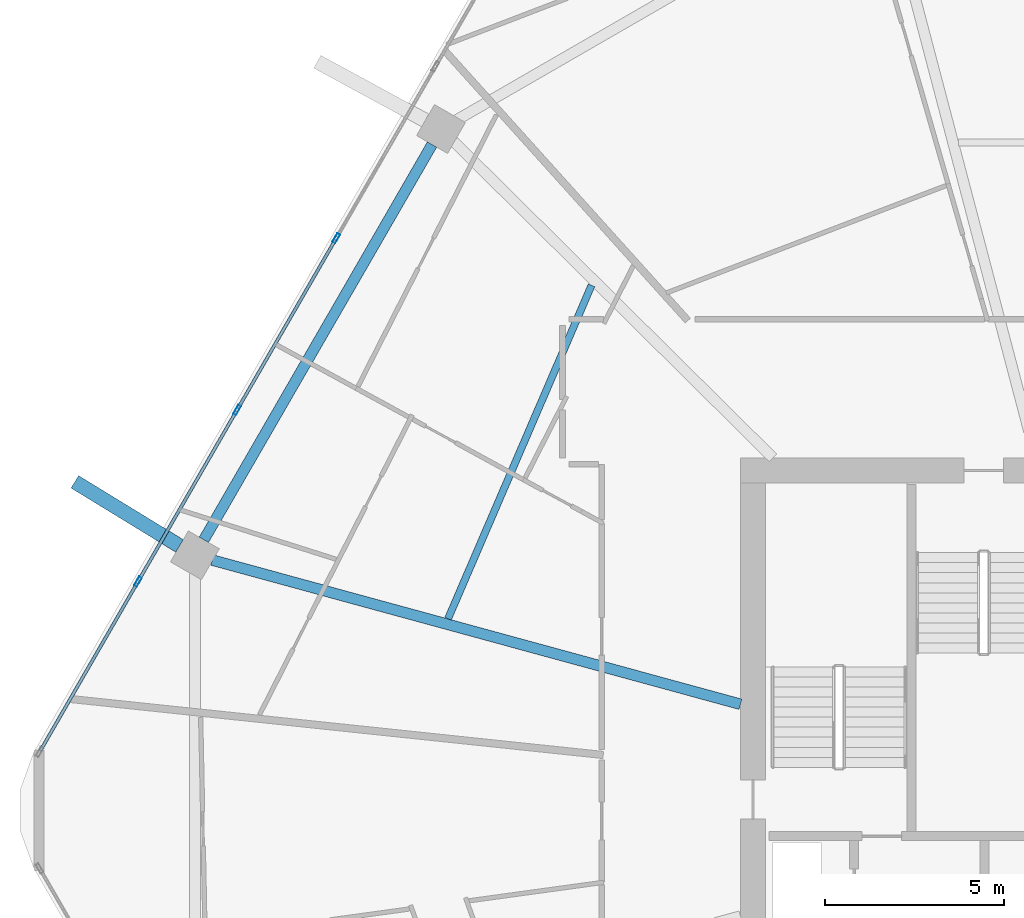
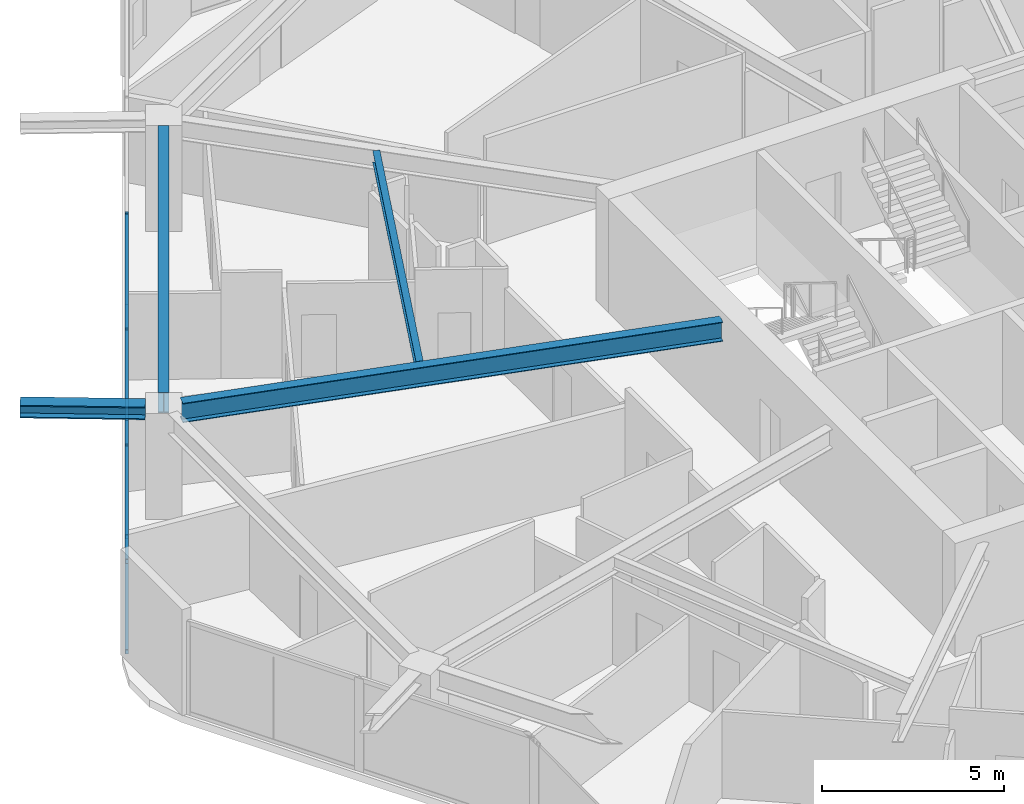
# One storey, part 10 of 25: 9 members, 4 beams, 1 element without a shape of its own.
"""IFC4 building model written with IfcOpenShell, lengths in metres."""

from ifc_helpers import new_model, si_unit, direction, frame, origin, origin_2d, place, context, subcontext, project, spatial, hollow_rectangle, i_section, extrude, material, material_profile, profile_set, type_object, element, aggregate, save


model = new_model("IFC4")

# Units and contexts
model_context = context("Model", 3, precision=1e-05, world=origin(), true_north=direction((0.0, 1.0)))
body_context = subcontext(model_context, "Body", "Model", "MODEL_VIEW")
ifc_project = project(units=[si_unit("LENGTHUNIT", "METRE"), si_unit("AREAUNIT", "SQUARE_METRE"), si_unit("VOLUMEUNIT", "CUBIC_METRE"), si_unit("PLANEANGLEUNIT", "RADIAN"), si_unit("MASSUNIT", "GRAM", prefix="KILO")], contexts=[model_context])

# Site, building, storey
site_placement = place(None, origin())
site = spatial("IfcSite", under=ifc_project, at=site_placement, CompositionType="ELEMENT")
building_placement = place(site_placement, origin())
building = spatial("IfcBuilding", under=site, at=building_placement, Name="Zuhravey Tower", CompositionType="ELEMENT")
storey_placement = place(building_placement, frame((0.0, 0.0, 150.39990234375)))
storey = spatial("IfcBuildingStorey", under=building, at=storey_placement, Name="L37", CompositionType="ELEMENT", Elevation=150.39990234375)

# Curtain wall, members
ifc_material_1 = material(Name="Thermally broken anodised aluminium", Category="aluminium")
curtain_wall_type = type_object("IfcCurtainWallType", Name="Zone 1-2 Residential Curtain Wall CW3", PredefinedType="NOTDEFINED", material=ifc_material_1)
curtain_wall_placement = place(storey_placement, origin())
curtain_wall = element("IfcCurtainWall", 1, at=curtain_wall_placement, inside=storey, type_object=curtain_wall_type, Name="L37 CW3 CW-L37-F3-1", PredefinedType="NOTDEFINED")
ifc_material_2 = material(Name="Anodised aluminium", Category="aluminium")
ifc_material_profile_1 = material_profile(ifc_material_2, hollow_rectangle(XDim=0.090087890625, YDim=0.284912109375, WallThickness=0.0048828125, at=origin_2d()), Name="ALU-RHS-90x285x5")
ifc_profile_set_1 = profile_set([ifc_material_profile_1], Name="Anodised aluminium")
member_type_1 = type_object("IfcMemberType", Name="Curtain-Wall Mullion 90x180", PredefinedType="MULLION", material=ifc_profile_set_1)
member_1_placement = place(storey_placement, frame((8.300537109375, 38.38916015625, 0.0), z_axis=(0.0, 0.0, 1.0), x_axis=(-0.866025138215, 0.500000459979, 0.0)))
member_1 = element("IfcMember", 2, at=member_1_placement, type_object=member_type_1, Name="CW3 mullion 2", PredefinedType="MULLION", context=body_context, shape_type="SweptSolid", body=[
    extrude(hollow_rectangle(XDim=0.090087890625, YDim=0.284912109375, WallThickness=0.0048828125, at=origin_2d()), origin(), (0.0, 0.0, 1.0), 3.1220703125),
])
member_2_placement = place(storey_placement, frame((11.07275390625, 43.190673828125, 0.0), z_axis=(0.0, 0.0, 1.0), x_axis=(-0.866025138215, 0.500000459979, 0.0)))
member_2 = element("IfcMember", 3, at=member_2_placement, type_object=member_type_1, Name="CW3 mullion 3", PredefinedType="MULLION", context=body_context, shape_type="SweptSolid", body=[
    extrude(hollow_rectangle(XDim=0.090087890625, YDim=0.284912109375, WallThickness=0.0048828125, at=origin_2d()), origin(), (0.0, 0.0, 1.0), 3.1220703125),
])
member_3_placement = place(storey_placement, frame((13.844970703125, 47.992431640625, 0.0), z_axis=(0.0, 0.0, 1.0), x_axis=(-0.866025138215, 0.500000459979, 0.0)))
member_3 = element("IfcMember", 4, at=member_3_placement, type_object=member_type_1, Name="CW3 mullion 4", PredefinedType="MULLION", context=body_context, shape_type="SweptSolid", body=[
    extrude(hollow_rectangle(XDim=0.090087890625, YDim=0.284912109375, WallThickness=0.0048828125, at=origin_2d()), origin(), (0.0, 0.0, 1.0), 3.1220703125),
])
ifc_material_profile_2 = material_profile(ifc_material_2, hollow_rectangle(XDim=0.090087890625, YDim=0.14990234375, WallThickness=0.0048828125, at=origin_2d()), Name="ALU-RHS-90x150x5")
ifc_profile_set_2 = profile_set([ifc_material_profile_2], Name="Anodised aluminium")
member_type_2 = type_object("IfcMemberType", Name="Curtain-Wall Transom 90x150", PredefinedType="USERDEFINED", material=ifc_profile_set_2)
member_4_placement = place(storey_placement, frame((5.5732421875, 33.66552734375, 0.045166015625), z_axis=(0.499993332629, 0.866029253159, 0.0), x_axis=(-0.866029253159, 0.499993332629, 0.0)))
member_4 = element("IfcMember", 5, at=member_4_placement, type_object=member_type_2, Name="CW3 transom 1.1", ObjectType="TRANSOM", PredefinedType="USERDEFINED", context=body_context, shape_type="SweptSolid", body=[
    extrude(hollow_rectangle(XDim=0.090087890625, YDim=0.14990234375, WallThickness=0.0048828125, at=origin_2d()), origin(), (0.0, 0.0, 1.0), 5.4091796875),
])
member_5_placement = place(storey_placement, frame((5.5732421875, 33.66552734375, 3.0771484375), z_axis=(0.499993332629, 0.866029253159, 0.0), x_axis=(-0.866029253159, 0.499993332629, 0.0)))
member_5 = element("IfcMember", 6, at=member_5_placement, type_object=member_type_2, Name="CW3 transom 1.2", ObjectType="TRANSOM", PredefinedType="USERDEFINED", context=body_context, shape_type="SweptSolid", body=[
    extrude(hollow_rectangle(XDim=0.090087890625, YDim=0.14990234375, WallThickness=0.0048828125, at=origin_2d()), origin(), (0.0, 0.0, 1.0), 5.4091796875),
])
member_6_placement = place(storey_placement, frame((8.322998046875, 38.427978515625, 0.045166015625), z_axis=(0.49996138257, 0.86604769842, 0.0), x_axis=(-0.86604769842, 0.49996138257, 0.0)))
member_6 = element("IfcMember", 7, at=member_6_placement, type_object=member_type_2, Name="CW3 transom 2.1", ObjectType="TRANSOM", PredefinedType="USERDEFINED", context=body_context, shape_type="SweptSolid", body=[
    extrude(hollow_rectangle(XDim=0.090087890625, YDim=0.14990234375, WallThickness=0.0048828125, at=origin_2d()), origin(), (0.0, 0.0, 1.0), 5.45458984375),
])
member_7_placement = place(storey_placement, frame((8.322998046875, 38.427978515625, 3.0771484375), z_axis=(0.49996138257, 0.86604769842, 0.0), x_axis=(-0.86604769842, 0.49996138257, 0.0)))
member_7 = element("IfcMember", 8, at=member_7_placement, type_object=member_type_2, Name="CW3 transom 2.2", ObjectType="TRANSOM", PredefinedType="USERDEFINED", context=body_context, shape_type="SweptSolid", body=[
    extrude(hollow_rectangle(XDim=0.090087890625, YDim=0.14990234375, WallThickness=0.0048828125, at=origin_2d()), origin(), (0.0, 0.0, 1.0), 5.45458984375),
])
member_8_placement = place(storey_placement, frame((11.09521484375, 43.229736328125, 0.045166015625), z_axis=(0.499980763544, 0.866036509673, 0.0), x_axis=(-0.866036509673, 0.499980763544, 0.0)))
member_8 = element("IfcMember", 9, at=member_8_placement, type_object=member_type_2, Name="CW3 transom 3.1", ObjectType="TRANSOM", PredefinedType="USERDEFINED", context=body_context, shape_type="SweptSolid", body=[
    extrude(hollow_rectangle(XDim=0.090087890625, YDim=0.14990234375, WallThickness=0.0048828125, at=origin_2d()), origin(), (0.0, 0.0, 1.0), 5.454345703125),
])
member_9_placement = place(storey_placement, frame((11.09521484375, 43.229736328125, 3.0771484375), z_axis=(0.499980763544, 0.866036509673, 0.0), x_axis=(-0.866036509673, 0.499980763544, 0.0)))
member_9 = element("IfcMember", 10, at=member_9_placement, type_object=member_type_2, Name="CW3 transom 3.2", ObjectType="TRANSOM", PredefinedType="USERDEFINED", context=body_context, shape_type="SweptSolid", body=[
    extrude(hollow_rectangle(XDim=0.090087890625, YDim=0.14990234375, WallThickness=0.0048828125, at=origin_2d()), origin(), (0.0, 0.0, 1.0), 5.454345703125),
])
aggregate(curtain_wall, [member_1, member_2, member_3, member_4, member_5, member_6, member_7, member_8, member_9])

# Beams
ifc_material_3 = material(Name="Steel SM460", Category="steel")
ifc_material_profile_3 = material_profile(ifc_material_3, i_section(OverallWidth=0.406982421875, OverallDepth=0.427978515625, WebThickness=0.02001953125, FlangeThickness=0.034912109375, at=origin_2d()), Name="H-428x407x20x35")
ifc_profile_set_3 = profile_set([ifc_material_profile_3], Name="Steel SM460")
beam_type_1 = type_object("IfcBeamType", Name="Exoskeleton Node Tie Beam H428x407", PredefinedType="BEAM", material=ifc_profile_set_3)
beam_1_placement = place(storey_placement, frame((9.46240234375, 39.3896484375, 3.336181640625), z_axis=(-0.852959892728, 0.521976456746, 0.0), x_axis=(-0.521976456746, -0.852959892728, 0.0)))
element("IfcBeam", 11, at=beam_1_placement, inside=storey, type_object=beam_type_1, Name="L37 Exoskeleton Node Tie NT1-06", PredefinedType="BEAM", context=body_context, shape_type="SweptSolid", body=[
    extrude(i_section(OverallWidth=0.406982421875, OverallDepth=0.427978515625, WebThickness=0.02001953125, FlangeThickness=0.034912109375, at=origin_2d()), origin(), (0.0, 0.0, 1.0), 3.43212890625),
])
ifc_material_4 = material(Name="Steel SM355", Category="steel")
ifc_material_profile_4 = material_profile(ifc_material_4, i_section(OverallWidth=0.300048828125, OverallDepth=0.679931640625, WebThickness=0.012939453125, FlangeThickness=0.02197265625, at=origin_2d()), Name="H-680x300x13x22")
ifc_profile_set_4 = profile_set([ifc_material_profile_4], Name="Steel SM355")
beam_type_2 = type_object("IfcBeamType", Name="Perimeter Ring Beam H680x300", PredefinedType="BEAM", material=ifc_profile_set_4)
beam_2_placement = place(storey_placement, frame((16.52294921875, 50.611083984375, 3.210205078125), z_axis=(-0.499997974489, -0.866026573211, 0.0), x_axis=(0.866026573211, -0.499997974489, 0.0)))
element("IfcBeam", 12, at=beam_2_placement, inside=storey, type_object=beam_type_2, Name="L37 PB2 BM-L37-PB-05", PredefinedType="BEAM", context=body_context, shape_type="SweptSolid", body=[
    extrude(i_section(OverallWidth=0.300048828125, OverallDepth=0.679931640625, WebThickness=0.012939453125, FlangeThickness=0.02197265625, at=origin_2d()), origin(), (0.0, 0.0, 1.0), 12.75830078125),
])
ifc_material_profile_5 = material_profile(ifc_material_4, i_section(OverallWidth=0.300048828125, OverallDepth=0.64990234375, WebThickness=0.012939453125, FlangeThickness=0.02197265625, at=origin_2d()), Name="H-650x300x13x22")
ifc_profile_set_5 = profile_set([ifc_material_profile_5], Name="Steel SM355")
beam_type_3 = type_object("IfcBeamType", Name="Radial Primary Girder H650x300", PredefinedType="BEAM", material=ifc_profile_set_5)
beam_3_placement = place(storey_placement, frame((25.14697265625, 34.96240234375, 3.22509765625), z_axis=(-0.964701601771, 0.263345437667, 0.0), x_axis=(-0.263345437667, -0.964701601771, 0.0)))
element("IfcBeam", 13, at=beam_3_placement, inside=storey, type_object=beam_type_3, Name="L37 RG2 BM-L37-RAD-06", PredefinedType="BEAM", context=body_context, shape_type="SweptSolid", body=[
    extrude(i_section(OverallWidth=0.300048828125, OverallDepth=0.64990234375, WebThickness=0.012939453125, FlangeThickness=0.02197265625, at=origin_2d()), origin(), (0.0, 0.0, 1.0), 15.309814453125),
])
ifc_material_profile_6 = material_profile(ifc_material_4, i_section(OverallWidth=0.199951171875, OverallDepth=0.39990234375, WebThickness=0.008056640625, FlangeThickness=0.012939453125, at=origin_2d()), Name="H-400x200x8x13")
ifc_profile_set_6 = profile_set([ifc_material_profile_6], Name="Steel SM355")
beam_type_4 = type_object("IfcBeamType", Name="Secondary Floor Joist H400x200", PredefinedType="JOIST", material=ifc_profile_set_6)
beam_4_placement = place(storey_placement, frame((20.982421875, 46.676025390625, 3.35009765625), z_axis=(-0.395265853487, -0.918566766799, 0.0), x_axis=(0.918566766799, -0.395265853487, 0.0)))
element("IfcBeam", 14, at=beam_4_placement, inside=storey, type_object=beam_type_4, Name="L37 SJ2 BM-L37-SJ-05-1", PredefinedType="JOIST", context=body_context, shape_type="SweptSolid", body=[
    extrude(i_section(OverallWidth=0.199951171875, OverallDepth=0.39990234375, WebThickness=0.008056640625, FlangeThickness=0.012939453125, at=origin_2d()), origin(), (0.0, 0.0, 1.0), 10.150146484375),
])

save(model, "model.ifc")
